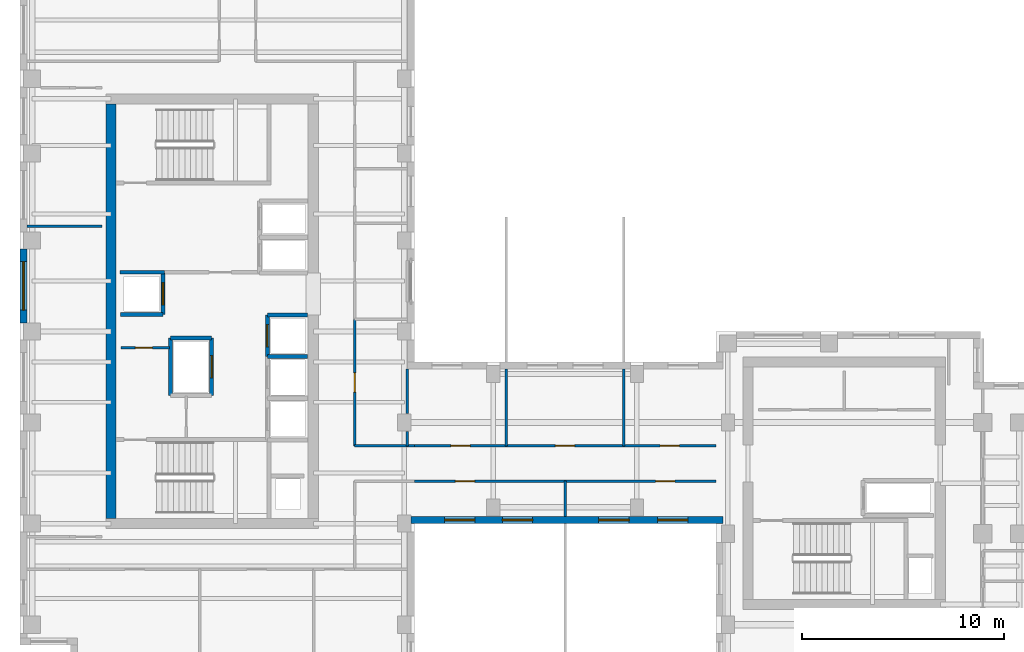
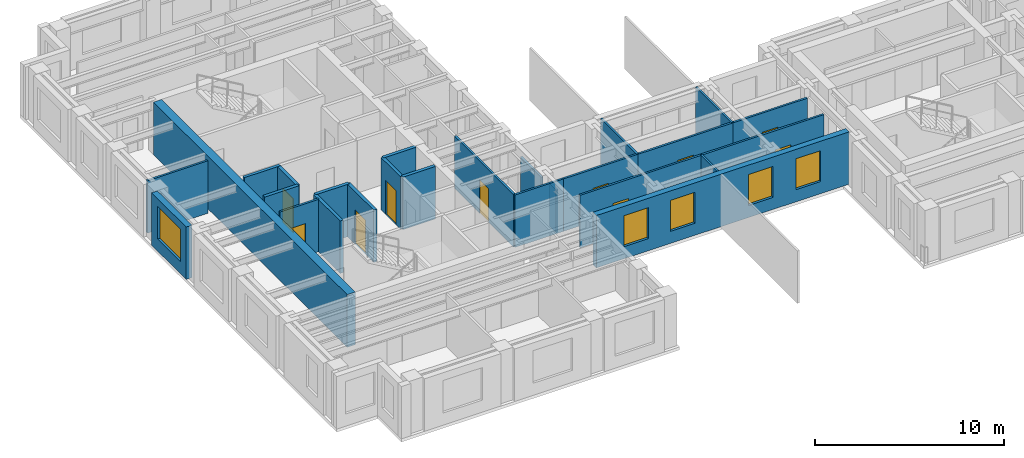
# One storey, part 5 of 11: 26 walls, 10 doors, 5 windows, 15 openings.
"""IFC4 building model written with IfcOpenShell, lengths in metres."""

import ifcopenshell
import ifcopenshell.guid

model = None  # the IFC model being written
_history = None  # IfcOwnerHistory: only IFC2X3 demands one
_inside = {}  # id of a spatial element -> (the spatial element, [elements in it])
_under = {}  # id of a project, library or spatial element -> (it, [spatial elements below it])
_declared = {}  # id of a project -> (the project, [libraries it declares])
_typed = {}  # id of a type object -> (the type object, [elements of that type])
_made_of = {}  # id of a material, layer set ... -> (it, [elements and type objects made of it])


def new_model(schema):
    """Start an empty IFC model of exactly this schema.

    Asked for "IFC4X3", IfcOpenShell would pick the latest addendum, in which some entities
    have other attributes; the version numbers below select the first issue.
    IFC2X3 requires an IfcOwnerHistory on every rooted entity: one is made here for all.
    """
    global model, _history
    if schema == "IFC4X3":
        model = ifcopenshell.file(schema_version=(4, 3, 0, 0))
    else:
        model = ifcopenshell.file(schema=schema)
    _inside.clear()
    _under.clear()
    _declared.clear()
    _typed.clear()
    _made_of.clear()
    _history = None
    if model.schema == "IFC2X3":
        org = make("IfcOrganization", Name="unknown")
        user = make(
            "IfcPersonAndOrganization",
            ThePerson=make("IfcPerson", FamilyName="unknown"),
            TheOrganization=org,
        )
        app = make(
            "IfcApplication",
            ApplicationDeveloper=org,
            Version="unknown",
            ApplicationFullName="unknown",
            ApplicationIdentifier="unknown",
        )
        _history = make(
            "IfcOwnerHistory",
            OwningUser=user,
            OwningApplication=app,
            ChangeAction="ADDED",
            CreationDate=0,
        )
    return model


def make(cls, **values):
    """One entity of the class cls with the attributes given. An attribute that is None is left unset."""
    return model.create_entity(
        cls, **{name: value for name, value in values.items() if value is not None}
    )


def rooted(cls, **values):
    """An entity with a GlobalId (a new one), such as an element, a storey or a relation."""
    return make(cls, GlobalId=ifcopenshell.guid.new(), OwnerHistory=_history, **values)


def si_unit(unit_type, name, prefix=None):
    """IfcSIUnit, for example si_unit("LENGTHUNIT", "METRE", prefix="MILLI")."""
    return make("IfcSIUnit", UnitType=unit_type, Prefix=prefix, Name=name)


def assignment(units):
    """IfcUnitAssignment: the units of a project."""
    return None if units is None else make("IfcUnitAssignment", Units=units)


def point(xyz):
    """IfcCartesianPoint."""
    return None if xyz is None else make("IfcCartesianPoint", Coordinates=xyz)


def direction(xyz):
    """IfcDirection."""
    return None if xyz is None else make("IfcDirection", DirectionRatios=xyz)


def frame(location, z_axis=None, x_axis=None):
    """IfcAxis2Placement3D, a coordinate frame: its origin and axes. An axis left out is left unset."""
    return make(
        "IfcAxis2Placement3D",
        Location=point(location),
        Axis=direction(z_axis),
        RefDirection=direction(x_axis),
    )


def frame_2d(location, x_axis=None):
    """IfcAxis2Placement2D, a coordinate frame in the plane: its origin and x axis."""
    return make(
        "IfcAxis2Placement2D", Location=point(location), RefDirection=direction(x_axis)
    )


def origin():
    """The frame at (0, 0, 0) with its axes left unset."""
    return frame((0.0, 0.0, 0.0))


def place(relative_to, where):
    """IfcLocalPlacement: puts the frame where relative to a parent placement (None: the world)."""
    return make(
        "IfcLocalPlacement", PlacementRelTo=relative_to, RelativePlacement=where
    )


def context(
    kind, dimensions, precision=None, world=None, true_north=None, identifier=None
):
    """IfcGeometricRepresentationContext, for example the 3D "Model" context."""
    return make(
        "IfcGeometricRepresentationContext",
        ContextIdentifier=identifier,
        ContextType=kind,
        CoordinateSpaceDimension=dimensions,
        Precision=precision,
        WorldCoordinateSystem=world,
        TrueNorth=true_north,
    )


def subcontext(parent, identifier, kind, view, scale=None):
    """IfcGeometricRepresentationSubContext, for example "Body" below "Model"."""
    return make(
        "IfcGeometricRepresentationSubContext",
        ContextIdentifier=identifier,
        ContextType=kind,
        ParentContext=parent,
        TargetScale=scale,
        TargetView=view,
    )


def project(units=None, contexts=None):
    """IfcProject with its units and contexts."""
    return rooted(
        "IfcProject",
        Name="project",
        RepresentationContexts=contexts,
        UnitsInContext=assignment(units),
    )


def spatial(cls, under=None, at=None, **own):
    """A site, building, storey or space (cls), placed at a placement, below another one or the project."""
    s = rooted(cls, ObjectPlacement=at, **own)
    if under is not None:
        _under.setdefault(under.id(), (under, []))[1].append(s)
    return s


def profile(cls, at=None, kind="AREA", **sizes):
    """A parametric profile (cls). Its sizes go by their IFC names, for example OverallWidth=200.0."""
    return make(cls, ProfileType=kind, Position=at, **sizes)


def rectangle(**sizes):
    """IfcRectangleProfileDef."""
    return profile("IfcRectangleProfileDef", **sizes)


def extrude(swept, where, along, depth):
    """IfcExtrudedAreaSolid: the profile swept, set in the frame where, extruded along a direction by depth."""
    return make(
        "IfcExtrudedAreaSolid",
        SweptArea=swept,
        Position=where,
        ExtrudedDirection=direction(along),
        Depth=depth,
    )


def shape(context_of_items, identifier, shape_type, items):
    """IfcShapeRepresentation: the items that make up one representation, for example the "Body"."""
    return make(
        "IfcShapeRepresentation",
        ContextOfItems=context_of_items,
        RepresentationIdentifier=identifier,
        RepresentationType=shape_type,
        Items=items,
    )


def source(mapping_origin, context_of_items, identifier, shape_type, items):
    """IfcRepresentationMap: a shape defined once, which mapped items show again and again."""
    return make(
        "IfcRepresentationMap",
        MappingOrigin=mapping_origin,
        MappedRepresentation=shape(context_of_items, identifier, shape_type, items),
    )


def transform(
    local_origin,
    x_axis=None,
    y_axis=None,
    z_axis=None,
    scale=None,
    scale2=None,
    scale3=None,
    uniform=True,
):
    """IfcCartesianTransformationOperator3D, or its non-uniform kind. x_axis, y_axis, z_axis: its Axis1, 2, 3."""
    if uniform:
        return make(
            "IfcCartesianTransformationOperator3D",
            Axis1=direction(x_axis),
            Axis2=direction(y_axis),
            LocalOrigin=point(local_origin),
            Scale=scale,
            Axis3=direction(z_axis),
        )
    return make(
        "IfcCartesianTransformationOperator3DnonUniform",
        Axis1=direction(x_axis),
        Axis2=direction(y_axis),
        LocalOrigin=point(local_origin),
        Scale=scale,
        Axis3=direction(z_axis),
        Scale2=scale2,
        Scale3=scale3,
    )


def mapped(mapping_source, mapping_target):
    """IfcMappedItem: shows the shape of a source again, moved by a transform."""
    return make(
        "IfcMappedItem", MappingSource=mapping_source, MappingTarget=mapping_target
    )


def material(Name=None, Category=None):
    """IfcMaterial."""
    return make("IfcMaterial", Name=Name, Category=Category)


def layer(
    of_material, thickness, ventilated=None, Name=None, Category=None, Priority=None
):
    """IfcMaterialLayer: one layer of a wall or slab, of a material (None: an air gap)."""
    return make(
        "IfcMaterialLayer",
        Material=of_material,
        LayerThickness=thickness,
        IsVentilated=ventilated,
        Name=Name,
        Category=Category,
        Priority=Priority,
    )


def layer_set(layers, Name=None):
    """IfcMaterialLayerSet."""
    return make("IfcMaterialLayerSet", MaterialLayers=layers, LayerSetName=Name)


def made_of(thing, what):
    """Note that an element or type object is made of a material, layer set ...; save() writes the relation."""
    if what is not None:
        _made_of.setdefault(what.id(), (what, []))[1].append(thing)
    return thing


def type_object(cls, material=None, **own):
    """A type object (cls), such as IfcWallType, which elements share."""
    return made_of(rooted(cls, **own), material)


def element(
    cls,
    number,
    at=None,
    inside=None,
    cuts=None,
    type_object=None,
    material=None,
    context=None,
    identifier="Body",
    shape_type=None,
    held_by="IfcProductDefinitionShape",
    body=None,
    shapes=None,
    **own,
):
    """One element of the class cls, such as IfcWall. Its Tag is "e" and its number.

    at: its placement. inside: the storey or other place that contains it. cuts: it is an
    opening in that element (IfcRelVoidsElement). A single representation is given by context,
    identifier, shape_type and body (its items); several are given by shapes. held_by: the class
    of the entity that holds the representations. save() writes the other relations.
    """
    e = rooted(cls, Tag="e%d" % number, ObjectPlacement=at, **own)
    if body is not None:
        shapes = [shape(context, identifier, shape_type, body)]
    if shapes is not None:
        e.Representation = make(held_by, Representations=shapes)
    if inside is not None:
        _inside.setdefault(inside.id(), (inside, []))[1].append(e)
    if cuts is not None:
        rooted(
            "IfcRelVoidsElement", RelatingBuildingElement=cuts, RelatedOpeningElement=e
        )
    if type_object is not None:
        _typed.setdefault(type_object.id(), (type_object, []))[1].append(e)
    return made_of(e, material)


def fill(opening, filler):
    """IfcRelFillsElement: the door or window that sits in an opening."""
    return rooted(
        "IfcRelFillsElement",
        RelatingOpeningElement=opening,
        RelatedBuildingElement=filler,
    )


def aggregate(whole, parts):
    """IfcRelAggregates: a whole, such as a stair, and the parts it consists of."""
    return rooted("IfcRelAggregates", RelatingObject=whole, RelatedObjects=parts)


def save(model, path):
    """Write the relations noted so far, then the file.

    IfcRelAggregates (storeys below a building ...), IfcRelContainedInSpatialStructure (elements
    in a storey), IfcRelDefinesByType, IfcRelAssociatesMaterial and IfcRelDeclares: one each for
    every whole, place, type object, material and project.
    """
    for whole, parts in _under.values():
        aggregate(whole, parts)
    for where, things in _inside.values():
        rooted(
            "IfcRelContainedInSpatialStructure",
            RelatedElements=things,
            RelatingStructure=where,
        )
    for kind, things in _typed.values():
        rooted("IfcRelDefinesByType", RelatedObjects=things, RelatingType=kind)
    for what, things in _made_of.values():
        rooted("IfcRelAssociatesMaterial", RelatedObjects=things, RelatingMaterial=what)
    for by, libraries in _declared.values():
        rooted("IfcRelDeclares", RelatingContext=by, RelatedDefinitions=libraries)
    model.write(path)


model = new_model("IFC4")

# Units and contexts
model_context = context("Model", 3, precision=1e-05, world=origin(), true_north=direction((0.0, 1.0)))
body_context = subcontext(model_context, "Body", "Model", "MODEL_VIEW")
ifc_project = project(units=[si_unit("LENGTHUNIT", "METRE"), si_unit("AREAUNIT", "SQUARE_METRE"), si_unit("VOLUMEUNIT", "CUBIC_METRE"), si_unit("PLANEANGLEUNIT", "RADIAN"), si_unit("MASSUNIT", "GRAM", prefix="KILO")], contexts=[model_context])

# Site, building, storey
site_placement = place(None, origin())
site = spatial("IfcSite", under=ifc_project, at=site_placement, CompositionType="ELEMENT")
building_placement = place(site_placement, origin())
building = spatial("IfcBuilding", under=site, at=building_placement, Name="Kharzan Plaza Tower", CompositionType="ELEMENT")
storey_placement = place(building_placement, frame((0.0, 0.0, 226.800048828125)))
storey = spatial("IfcBuildingStorey", under=building, at=storey_placement, Name="L61", CompositionType="ELEMENT", Elevation=226.800048828125)

# Wall, opening, window
ifc_material_1 = material(Name="Concrete C40/50", Category="concrete")
ifc_layer_1 = layer(ifc_material_1, 0.35009765625)
ifc_layer_set_1 = layer_set([ifc_layer_1], Name="Concrete C40/50")
wall_type_1 = type_object("IfcWallType", Name="WL-EXT-MAS-Z4", PredefinedType="SOLIDWALL", material=ifc_layer_set_1)
wall_1_placement = place(storey_placement, frame((0.175048828125, 22.076904296875, 0.0), z_axis=(0.0, 0.0, 1.0), x_axis=(0.0, -1.0, 0.0)))
wall_1 = element("IfcWall", 1, at=wall_1_placement, inside=storey, type_object=wall_type_1, Name="L61 Masonry-Frame Exterior Wall 20", PredefinedType="SOLIDWALL", context=body_context, shape_type="SweptSolid", body=[
    extrude(rectangle(XDim=3.65380859375, YDim=0.35009765625, at=frame_2d((1.826904296875, 0.0))), origin(), (0.0, 0.0, 1.0), 3.385009765625),
])
opening_1_placement = place(wall_1_placement, frame((0.626953125, 0.0, 0.780029296875)))
opening_1 = element("IfcOpeningElement", 2, at=opening_1_placement, cuts=wall_1, Name="Opening W2", PredefinedType="OPENING", context=body_context, shape_type="SweptSolid", body=[
    extrude(rectangle(XDim=2.39990234375, YDim=2.10009765625, at=frame_2d((1.199951171875, 1.050048828125))), frame((0.0, 0.18505859375, 0.0), z_axis=(0.0, -1.0, 0.0), x_axis=(1.0, 0.0, 0.0)), (0.0, 0.0, 1.0), 0.3701171875),
])
ifc_material_2 = material(Name="Low-E Double Glazing", Category="glass")
window_type_1 = type_object("IfcWindowType", Name="WN-REC-2400x2100", PartitioningType="SINGLE_PANEL", PredefinedType="WINDOW", material=ifc_material_2)
shared_shape_1 = source(origin(), body_context, "Body", "SweptSolid", [
    extrude(rectangle(XDim=2.39990234375, YDim=2.10009765625, at=frame_2d((1.199951171875, 1.050048828125))), frame((0.0, 0.030029296875, 0.0), z_axis=(0.0, -1.0, 0.0), x_axis=(1.0, 0.0, 0.0)), (0.0, 0.0, 1.0), 0.06005859375),
])
window_1_placement = place(opening_1_placement, origin())
window_1 = element("IfcWindow", 3, at=window_1_placement, inside=storey, type_object=window_type_1, Name="L61 Wide Recessed Solar-Control Window 20-1", OverallHeight=2.10009765625, OverallWidth=2.39990234375, PartitioningType="SINGLE_PANEL", PredefinedType="WINDOW", context=body_context, shape_type="MappedRepresentation", body=[
    mapped(shared_shape_1, transform((0.0, 0.0, 0.0), x_axis=(1.0, 0.0, 0.0), y_axis=(0.0, 1.0, 0.0), z_axis=(0.0, 0.0, 1.0))),
])
fill(opening_1, window_1)

# Wall, openings, windows
wall_2_placement = place(storey_placement, frame((19.322998046875, 8.675048828125, 0.0), z_axis=(0.0, 0.0, 1.0), x_axis=(1.0, 0.0, 0.0)))
wall_2 = element("IfcWall", 4, at=wall_2_placement, inside=storey, type_object=wall_type_1, Name="L61 Masonry-Frame Exterior Wall 33", PredefinedType="SOLIDWALL", context=body_context, shape_type="SweptSolid", body=[
    extrude(rectangle(XDim=15.427001953125, YDim=0.35009765625, at=frame_2d((7.71337890625, 0.0))), origin(), (0.0, 0.0, 1.0), 3.385009765625),
])
opening_2_placement = place(wall_2_placement, frame((1.67236328125, 0.0, 0.780029296875)))
opening_2 = element("IfcOpeningElement", 5, at=opening_2_placement, cuts=wall_2, Name="Opening W5", PredefinedType="OPENING", context=body_context, shape_type="SweptSolid", body=[
    extrude(rectangle(XDim=1.5, YDim=2.0, at=frame_2d((0.75, 1.0))), frame((0.0, 0.18505859375, 0.0), z_axis=(0.0, -1.0, 0.0), x_axis=(1.0, 0.0, 0.0)), (0.0, 0.0, 1.0), 0.3701171875),
])
opening_3_placement = place(wall_2_placement, frame((4.524658203125, 0.0, 0.780029296875)))
opening_3 = element("IfcOpeningElement", 6, at=opening_3_placement, cuts=wall_2, Name="Opening W5", PredefinedType="OPENING", context=body_context, shape_type="SweptSolid", body=[
    extrude(rectangle(XDim=1.5, YDim=2.0, at=frame_2d((0.75, 1.0))), frame((0.0, 0.18505859375, 0.0), z_axis=(0.0, -1.0, 0.0), x_axis=(1.0, 0.0, 0.0)), (0.0, 0.0, 1.0), 0.3701171875),
])
opening_4_placement = place(wall_2_placement, frame((9.287109375, 0.0, 0.780029296875)))
opening_4 = element("IfcOpeningElement", 7, at=opening_4_placement, cuts=wall_2, Name="Opening W5", PredefinedType="OPENING", context=body_context, shape_type="SweptSolid", body=[
    extrude(rectangle(XDim=1.5, YDim=2.0, at=frame_2d((0.75, 1.0))), frame((0.0, 0.18505859375, 0.0), z_axis=(0.0, -1.0, 0.0), x_axis=(1.0, 0.0, 0.0)), (0.0, 0.0, 1.0), 0.3701171875),
])
opening_5_placement = place(wall_2_placement, frame((12.197021484375, 0.0, 0.780029296875)))
opening_5 = element("IfcOpeningElement", 8, at=opening_5_placement, cuts=wall_2, Name="Opening W5", PredefinedType="OPENING", context=body_context, shape_type="SweptSolid", body=[
    extrude(rectangle(XDim=1.5, YDim=2.0, at=frame_2d((0.75, 1.0))), frame((0.0, 0.18505859375, 0.0), z_axis=(0.0, -1.0, 0.0), x_axis=(1.0, 0.0, 0.0)), (0.0, 0.0, 1.0), 0.3701171875),
])
window_type_2 = type_object("IfcWindowType", Name="WN-SLT-1500x2000", PartitioningType="SINGLE_PANEL", PredefinedType="WINDOW", material=ifc_material_2)
shared_shape_2 = source(origin(), body_context, "Body", "SweptSolid", [
    extrude(rectangle(XDim=1.5, YDim=2.0, at=frame_2d((0.75, 1.0))), frame((0.0, 0.030029296875, 0.0), z_axis=(0.0, -1.0, 0.0), x_axis=(1.0, 0.0, 0.0)), (0.0, 0.0, 1.0), 0.06005859375),
])
window_2_placement = place(opening_2_placement, origin())
window_2 = element("IfcWindow", 9, at=window_2_placement, inside=storey, type_object=window_type_2, Name="L61 Recessed Solar-Control Window 33-1", OverallHeight=2.0, OverallWidth=1.5, PartitioningType="SINGLE_PANEL", PredefinedType="WINDOW", context=body_context, shape_type="MappedRepresentation", body=[
    mapped(shared_shape_2, transform((0.0, 0.0, 0.0), x_axis=(1.0, 0.0, 0.0), y_axis=(0.0, 1.0, 0.0), z_axis=(0.0, 0.0, 1.0))),
])
fill(opening_2, window_2)
window_3_placement = place(opening_3_placement, origin())
window_3 = element("IfcWindow", 10, at=window_3_placement, inside=storey, type_object=window_type_2, Name="L61 Recessed Solar-Control Window 33-2", OverallHeight=2.0, OverallWidth=1.5, PartitioningType="SINGLE_PANEL", PredefinedType="WINDOW", context=body_context, shape_type="MappedRepresentation", body=[
    mapped(shared_shape_2, transform((0.0, 0.0, 0.0), x_axis=(1.0, 0.0, 0.0), y_axis=(0.0, 1.0, 0.0), z_axis=(0.0, 0.0, 1.0))),
])
fill(opening_3, window_3)
window_4_placement = place(opening_4_placement, origin())
window_4 = element("IfcWindow", 11, at=window_4_placement, inside=storey, type_object=window_type_2, Name="L61 Recessed Solar-Control Window 33-3", OverallHeight=2.0, OverallWidth=1.5, PartitioningType="SINGLE_PANEL", PredefinedType="WINDOW", context=body_context, shape_type="MappedRepresentation", body=[
    mapped(shared_shape_2, transform((0.0, 0.0, 0.0), x_axis=(1.0, 0.0, 0.0), y_axis=(0.0, 1.0, 0.0), z_axis=(0.0, 0.0, 1.0))),
])
fill(opening_4, window_4)
window_5_placement = place(opening_5_placement, origin())
window_5 = element("IfcWindow", 12, at=window_5_placement, inside=storey, type_object=window_type_2, Name="L61 Recessed Solar-Control Window 33-4", OverallHeight=2.0, OverallWidth=1.5, PartitioningType="SINGLE_PANEL", PredefinedType="WINDOW", context=body_context, shape_type="MappedRepresentation", body=[
    mapped(shared_shape_2, transform((0.0, 0.0, 0.0), x_axis=(1.0, 0.0, 0.0), y_axis=(0.0, 1.0, 0.0), z_axis=(0.0, 0.0, 1.0))),
])
fill(opening_5, window_5)

# Wall, opening, door
ifc_material_3 = material(Name="Fire-Rated Gypsum Board Partition", Category="gypsum")
ifc_layer_2 = layer(ifc_material_3, 0.125)
ifc_layer_set_2 = layer_set([ifc_layer_2], Name="Fire-Rated Gypsum Board Partition")
wall_type_2 = type_object("IfcWallType", Name="WL-INT-PART-125", PredefinedType="PARTITIONING", material=ifc_layer_set_2)
wall_3_placement = place(storey_placement, frame((5.0, 17.199951171875, 0.0), z_axis=(0.0, 0.0, 1.0), x_axis=(1.0, 0.0, 0.0)))
wall_3 = element("IfcWall", 13, at=wall_3_placement, inside=storey, type_object=wall_type_2, Name="L61 Interior Partition CA-K1N2", PredefinedType="PARTITIONING", context=body_context, shape_type="SweptSolid", body=[
    extrude(rectangle(XDim=2.39990234375, YDim=0.125, at=frame_2d((1.199951171875, 0.0))), origin(), (0.0, 0.0, 1.0), 3.385009765625),
])
opening_6_placement = place(wall_3_placement, frame((0.699951171875, 0.0, 0.0)))
opening_6 = element("IfcOpeningElement", 14, at=opening_6_placement, cuts=wall_3, Name="Opening RD1", PredefinedType="OPENING", context=body_context, shape_type="SweptSolid", body=[
    extrude(rectangle(XDim=0.85009765625, YDim=2.10009765625, at=frame_2d((0.425048828125, 1.050048828125))), frame((0.0, 0.072509765625, 0.0), z_axis=(0.0, -1.0, 0.0), x_axis=(1.0, 0.0, 0.0)), (0.0, 0.0, 1.0), 0.14501953125),
])
ifc_material_4 = material(Name="Powder-Coated Fire-Rated Steel", Category="steel")
door_type_1 = type_object("IfcDoorType", Name="DR-RISER-900", OperationType="NOTDEFINED", PredefinedType="DOOR", material=ifc_material_4)
shared_shape_3 = source(origin(), body_context, "Body", "SweptSolid", [
    extrude(rectangle(XDim=0.85009765625, YDim=2.10009765625, at=frame_2d((0.425048828125, 1.050048828125))), frame((0.0, 0.02490234375, 0.0), z_axis=(0.0, -1.0, 0.0), x_axis=(1.0, 0.0, 0.0)), (0.0, 0.0, 1.0), 0.050048828125),
])
door_1_placement = place(opening_6_placement, origin())
door_1 = element("IfcDoor", 15, at=door_1_placement, inside=storey, type_object=door_type_1, Name="L61 Core Storage Room Door", OperationType="SINGLE_SWING_LEFT", OverallHeight=2.10009765625, OverallWidth=0.85009765625, PredefinedType="DOOR", context=body_context, shape_type="MappedRepresentation", body=[
    mapped(shared_shape_3, transform((0.0, 0.0, 0.0), x_axis=(1.0, 0.0, 0.0), y_axis=(0.0, 1.0, 0.0), z_axis=(0.0, 0.0, 1.0))),
])
fill(opening_6, door_1)

wall_4_placement = place(storey_placement, frame((16.550048828125, 12.35009765625, 0.0), z_axis=(0.0, 0.0, 1.0), x_axis=(0.0, 1.0, 0.0)))
wall_4 = element("IfcWall", 16, at=wall_4_placement, inside=storey, type_object=wall_type_2, Name="L61 Interior Partition SH-AEWN1", PredefinedType="PARTITIONING", context=body_context, shape_type="SweptSolid", body=[
    extrude(rectangle(XDim=6.25, YDim=0.125, at=frame_2d((3.125, 0.0))), origin(), (0.0, 0.0, 1.0), 3.385009765625),
])
opening_7_placement = place(wall_4_placement, frame((2.64990234375, 0.0, 0.0)))
opening_7 = element("IfcOpeningElement", 17, at=opening_7_placement, cuts=wall_4, Name="Opening OD1", PredefinedType="OPENING", context=body_context, shape_type="SweptSolid", body=[
    extrude(rectangle(XDim=0.949951171875, YDim=2.14990234375, at=frame_2d((0.47509765625, 1.074951171875))), frame((0.0, 0.072509765625, 0.0), z_axis=(0.0, -1.0, 0.0), x_axis=(1.0, 0.0, 0.0)), (0.0, 0.0, 1.0), 0.14501953125),
])
ifc_material_5 = material(Name="Acoustic Solid-Core Stained Oak", Category="timber")
door_type_2 = type_object("IfcDoorType", Name="DR-OFF-SINGLE", OperationType="NOTDEFINED", PredefinedType="DOOR", material=ifc_material_5)
shared_shape_4 = source(origin(), body_context, "Body", "SweptSolid", [
    extrude(rectangle(XDim=0.949951171875, YDim=2.14990234375, at=frame_2d((0.47509765625, 1.074951171875))), frame((0.0, 0.02490234375, 0.0), z_axis=(0.0, -1.0, 0.0), x_axis=(1.0, 0.0, 0.0)), (0.0, 0.0, 1.0), 0.050048828125),
])
door_2_placement = place(opening_7_placement, origin())
door_2 = element("IfcDoor", 18, at=door_2_placement, inside=storey, type_object=door_type_2, Name="L61 Slot Collaboration Door", OperationType="SINGLE_SWING_LEFT", OverallHeight=2.14990234375, OverallWidth=0.949951171875, PredefinedType="DOOR", context=body_context, shape_type="MappedRepresentation", body=[
    mapped(shared_shape_4, transform((0.0, 0.0, 0.0), x_axis=(1.0, 0.0, 0.0), y_axis=(0.0, 1.0, 0.0), z_axis=(0.0, 0.0, 1.0))),
])
fill(opening_7, door_2)

wall_5_placement = place(storey_placement, frame((29.85009765625, 12.35009765625, 0.0), z_axis=(0.0, 0.0, 1.0), x_axis=(1.0, 0.0, 0.0)))
wall_5 = element("IfcWall", 19, at=wall_5_placement, inside=storey, type_object=wall_type_2, Name="L61 Interior Partition SH-SPNE1", PredefinedType="PARTITIONING", context=body_context, shape_type="SweptSolid", body=[
    extrude(rectangle(XDim=4.5498046875, YDim=0.125, at=frame_2d((2.27490234375, 0.0))), origin(), (0.0, 0.0, 1.0), 3.385009765625),
])
opening_8_placement = place(wall_5_placement, frame((1.800048828125, 0.0, 0.0)))
opening_8 = element("IfcOpeningElement", 20, at=opening_8_placement, cuts=wall_5, Name="Opening OD1", PredefinedType="OPENING", context=body_context, shape_type="SweptSolid", body=[
    extrude(rectangle(XDim=0.949951171875, YDim=2.14990234375, at=frame_2d((0.47509765625, 1.074951171875))), frame((0.0, 0.072509765625, 0.0), z_axis=(0.0, -1.0, 0.0), x_axis=(1.0, 0.0, 0.0)), (0.0, 0.0, 1.0), 0.14501953125),
])
door_3_placement = place(opening_8_placement, origin())
door_3 = element("IfcDoor", 21, at=door_3_placement, inside=storey, type_object=door_type_2, Name="L61 North-East Spine Door", OperationType="SINGLE_SWING_RIGHT", OverallHeight=2.14990234375, OverallWidth=0.949951171875, PredefinedType="DOOR", context=body_context, shape_type="MappedRepresentation", body=[
    mapped(shared_shape_4, transform((0.0, 0.0, 0.0), x_axis=(1.0, 0.0, 0.0), y_axis=(0.0, 1.0, 0.0), z_axis=(0.0, 0.0, 1.0))),
])
fill(opening_8, door_3)

wall_6_placement = place(storey_placement, frame((24.050048828125, 12.35009765625, 0.0), z_axis=(0.0, 0.0, 1.0), x_axis=(1.0, 0.0, 0.0)))
wall_6 = element("IfcWall", 22, at=wall_6_placement, inside=storey, type_object=wall_type_2, Name="L61 Interior Partition SH-SPNM", PredefinedType="PARTITIONING", context=body_context, shape_type="SweptSolid", body=[
    extrude(rectangle(XDim=5.800048828125, YDim=0.125, at=frame_2d((2.89990234375, 0.0))), origin(), (0.0, 0.0, 1.0), 3.385009765625),
])
opening_9_placement = place(wall_6_placement, frame((2.425048828125, 0.0, 0.0)))
opening_9 = element("IfcOpeningElement", 23, at=opening_9_placement, cuts=wall_6, Name="Opening OD1", PredefinedType="OPENING", context=body_context, shape_type="SweptSolid", body=[
    extrude(rectangle(XDim=0.949951171875, YDim=2.14990234375, at=frame_2d((0.47509765625, 1.074951171875))), frame((0.0, 0.072509765625, 0.0), z_axis=(0.0, -1.0, 0.0), x_axis=(1.0, 0.0, 0.0)), (0.0, 0.0, 1.0), 0.14501953125),
])
door_4_placement = place(opening_9_placement, origin())
door_4 = element("IfcDoor", 24, at=door_4_placement, inside=storey, type_object=door_type_2, Name="L61 Reclaimed Spine Door", OperationType="SINGLE_SWING_LEFT", OverallHeight=2.14990234375, OverallWidth=0.949951171875, PredefinedType="DOOR", context=body_context, shape_type="MappedRepresentation", body=[
    mapped(shared_shape_4, transform((0.0, 0.0, 0.0), x_axis=(1.0, 0.0, 0.0), y_axis=(0.0, 1.0, 0.0), z_axis=(0.0, 0.0, 1.0))),
])
fill(opening_9, door_4)

wall_7_placement = place(storey_placement, frame((19.5, 12.35009765625, 0.0), z_axis=(0.0, 0.0, 1.0), x_axis=(1.0, 0.0, 0.0)))
wall_7 = element("IfcWall", 25, at=wall_7_placement, inside=storey, type_object=wall_type_2, Name="L61 Interior Partition SH-SPNW1", PredefinedType="PARTITIONING", context=body_context, shape_type="SweptSolid", body=[
    extrude(rectangle(XDim=4.550048828125, YDim=0.125, at=frame_2d((2.27490234375, 0.0))), origin(), (0.0, 0.0, 1.0), 3.385009765625),
])
opening_10_placement = place(wall_7_placement, frame((1.800048828125, 0.0, 0.0)))
opening_10 = element("IfcOpeningElement", 26, at=opening_10_placement, cuts=wall_7, Name="Opening OD1", PredefinedType="OPENING", context=body_context, shape_type="SweptSolid", body=[
    extrude(rectangle(XDim=0.949951171875, YDim=2.14990234375, at=frame_2d((0.47509765625, 1.074951171875))), frame((0.0, 0.072509765625, 0.0), z_axis=(0.0, -1.0, 0.0), x_axis=(1.0, 0.0, 0.0)), (0.0, 0.0, 1.0), 0.14501953125),
])
door_5_placement = place(opening_10_placement, origin())
door_5 = element("IfcDoor", 27, at=door_5_placement, inside=storey, type_object=door_type_2, Name="L61 North-West Spine Door", OperationType="SINGLE_SWING_LEFT", OverallHeight=2.14990234375, OverallWidth=0.949951171875, PredefinedType="DOOR", context=body_context, shape_type="MappedRepresentation", body=[
    mapped(shared_shape_4, transform((0.0, 0.0, 0.0), x_axis=(1.0, 0.0, 0.0), y_axis=(0.0, 1.0, 0.0), z_axis=(0.0, 0.0, 1.0))),
])
fill(opening_10, door_5)

wall_8_placement = place(storey_placement, frame((19.5, 10.60009765625, 0.0), z_axis=(0.0, 0.0, 1.0), x_axis=(1.0, 0.0, 0.0)))
wall_8 = element("IfcWall", 28, at=wall_8_placement, inside=storey, type_object=wall_type_2, Name="L61 Interior Partition SH-SPS1", PredefinedType="PARTITIONING", context=body_context, shape_type="SweptSolid", body=[
    extrude(rectangle(XDim=7.449951171875, YDim=0.125, at=frame_2d((3.72509765625, 0.0))), origin(), (0.0, 0.0, 1.0), 3.385009765625),
])
opening_11_placement = place(wall_8_placement, frame((2.02197265625, 0.0, 0.0)))
opening_11 = element("IfcOpeningElement", 29, at=opening_11_placement, cuts=wall_8, Name="Opening OD1", PredefinedType="OPENING", context=body_context, shape_type="SweptSolid", body=[
    extrude(rectangle(XDim=0.949951171875, YDim=2.14990234375, at=frame_2d((0.47509765625, 1.074951171875))), frame((0.0, 0.072509765625, 0.0), z_axis=(0.0, -1.0, 0.0), x_axis=(1.0, 0.0, 0.0)), (0.0, 0.0, 1.0), 0.14501953125),
])
door_6_placement = place(opening_11_placement, origin())
door_6 = element("IfcDoor", 30, at=door_6_placement, inside=storey, type_object=door_type_2, Name="L61 South Spine West Door", OperationType="SINGLE_SWING_LEFT", OverallHeight=2.14990234375, OverallWidth=0.949951171875, PredefinedType="DOOR", context=body_context, shape_type="MappedRepresentation", body=[
    mapped(shared_shape_4, transform((0.0, 0.0, 0.0), x_axis=(1.0, 0.0, 0.0), y_axis=(0.0, 1.0, 0.0), z_axis=(0.0, 0.0, 1.0))),
])
fill(opening_11, door_6)

wall_9_placement = place(storey_placement, frame((26.949951171875, 10.60009765625, 0.0), z_axis=(0.0, 0.0, 1.0), x_axis=(1.0, 0.0, 0.0)))
wall_9 = element("IfcWall", 31, at=wall_9_placement, inside=storey, type_object=wall_type_2, Name="L61 Interior Partition SH-SPS2", PredefinedType="PARTITIONING", context=body_context, shape_type="SweptSolid", body=[
    extrude(rectangle(XDim=7.449951171875, YDim=0.125, at=frame_2d((3.72509765625, 0.0))), origin(), (0.0, 0.0, 1.0), 3.385009765625),
])
opening_12_placement = place(wall_9_placement, frame((4.47802734375, 0.0, 0.0)))
opening_12 = element("IfcOpeningElement", 32, at=opening_12_placement, cuts=wall_9, Name="Opening OD1", PredefinedType="OPENING", context=body_context, shape_type="SweptSolid", body=[
    extrude(rectangle(XDim=0.949951171875, YDim=2.14990234375, at=frame_2d((0.47509765625, 1.074951171875))), frame((0.0, 0.072509765625, 0.0), z_axis=(0.0, -1.0, 0.0), x_axis=(1.0, 0.0, 0.0)), (0.0, 0.0, 1.0), 0.14501953125),
])
door_7_placement = place(opening_12_placement, origin())
door_7 = element("IfcDoor", 33, at=door_7_placement, inside=storey, type_object=door_type_2, Name="L61 South Spine East Door", OperationType="SINGLE_SWING_RIGHT", OverallHeight=2.14990234375, OverallWidth=0.949951171875, PredefinedType="DOOR", context=body_context, shape_type="MappedRepresentation", body=[
    mapped(shared_shape_4, transform((0.0, 0.0, 0.0), x_axis=(1.0, 0.0, 0.0), y_axis=(0.0, 1.0, 0.0), z_axis=(0.0, 0.0, 1.0))),
])
fill(opening_12, door_7)

ifc_layer_3 = layer(ifc_material_1, 0.199951171875)
ifc_layer_set_3 = layer_set([ifc_layer_3], Name="Concrete C40/50")
wall_type_3 = type_object("IfcWallType", Name="WL-INT-SHAFT-200", PredefinedType="PARTITIONING", material=ifc_layer_set_3)
wall_10_placement = place(storey_placement, frame((12.22998046875, 16.77001953125, 0.0), z_axis=(0.0, 0.0, 1.0), x_axis=(0.0, 1.0, 0.0)))
wall_10 = element("IfcWall", 34, at=wall_10_placement, inside=storey, type_object=wall_type_3, Name="L61 Interior Partition SHF-PL-H3-W", PredefinedType="PARTITIONING", context=body_context, shape_type="SweptSolid", body=[
    extrude(rectangle(XDim=2.050048828125, YDim=0.199951171875, at=frame_2d((1.02490234375, 0.0))), origin(), (0.0, 0.0, 1.0), 3.385009765625),
])
opening_13_placement = place(wall_10_placement, frame((0.47509765625, 0.0, 0.0)))
opening_13 = element("IfcOpeningElement", 35, at=opening_13_placement, cuts=wall_10, Name="Opening LD", PredefinedType="OPENING", context=body_context, shape_type="SweptSolid", body=[
    extrude(rectangle(XDim=1.10009765625, YDim=2.199951171875, at=frame_2d((0.550048828125, 1.10009765625))), frame((0.0, 0.10986328125, 0.0), z_axis=(0.0, -1.0, 0.0), x_axis=(1.0, 0.0, 0.0)), (0.0, 0.0, 1.0), 0.219970703125),
])
ifc_material_6 = material(Name="Brushed Stainless Steel", Category="steel")
door_type_3 = type_object("IfcDoorType", Name="DR-LIFT-SLIDE", OperationType="SLIDING_TO_LEFT", PredefinedType="DOOR", material=ifc_material_6)
shared_shape_5 = source(origin(), body_context, "Body", "SweptSolid", [
    extrude(rectangle(XDim=1.10009765625, YDim=2.199951171875, at=frame_2d((0.550048828125, 1.10009765625))), frame((0.0, 0.02490234375, 0.0), z_axis=(0.0, -1.0, 0.0), x_axis=(1.0, 0.0, 0.0)), (0.0, 0.0, 1.0), 0.050048828125),
])
door_8_placement = place(opening_13_placement, origin())
door_8 = element("IfcDoor", 36, at=door_8_placement, inside=storey, type_object=door_type_3, Name="L61 High-Rise Passenger Lift PL-H3 Sliding Landing Door", OperationType="SLIDING_TO_LEFT", OverallHeight=2.199951171875, OverallWidth=1.10009765625, PredefinedType="DOOR", context=body_context, shape_type="MappedRepresentation", body=[
    mapped(shared_shape_5, transform((0.0, 0.0, 0.0), x_axis=(1.0, 0.0, 0.0), y_axis=(0.0, 1.0, 0.0), z_axis=(0.0, 0.0, 1.0))),
])
fill(opening_13, door_8)

wall_11_placement = place(storey_placement, frame((7.070068359375, 18.840087890625, 0.0), z_axis=(0.0, 0.0, 1.0), x_axis=(0.0, 1.0, 0.0)))
wall_11 = element("IfcWall", 37, at=wall_11_placement, inside=storey, type_object=wall_type_3, Name="L61 Interior Partition SHF-PL-H4-E", PredefinedType="PARTITIONING", context=body_context, shape_type="SweptSolid", body=[
    extrude(rectangle(XDim=2.059814453125, YDim=0.199951171875, at=frame_2d((1.02978515625, 0.0))), origin(), (0.0, 0.0, 1.0), 3.385009765625),
])
opening_14_placement = place(wall_11_placement, frame((0.47998046875, 0.0, 0.0)))
opening_14 = element("IfcOpeningElement", 38, at=opening_14_placement, cuts=wall_11, Name="Opening LD", PredefinedType="OPENING", context=body_context, shape_type="SweptSolid", body=[
    extrude(rectangle(XDim=1.10009765625, YDim=2.199951171875, at=frame_2d((0.550048828125, 1.10009765625))), frame((0.0, 0.10986328125, 0.0), z_axis=(0.0, -1.0, 0.0), x_axis=(1.0, 0.0, 0.0)), (0.0, 0.0, 1.0), 0.219970703125),
])
door_9_placement = place(opening_14_placement, origin())
door_9 = element("IfcDoor", 39, at=door_9_placement, inside=storey, type_object=door_type_3, Name="L61 High-Rise Passenger Lift PL-H4 Sliding Landing Door", OperationType="SLIDING_TO_LEFT", OverallHeight=2.199951171875, OverallWidth=1.10009765625, PredefinedType="DOOR", context=body_context, shape_type="MappedRepresentation", body=[
    mapped(shared_shape_5, transform((0.0, 0.0, 0.0), x_axis=(1.0, 0.0, 0.0), y_axis=(0.0, 1.0, 0.0), z_axis=(0.0, 0.0, 1.0))),
])
fill(opening_14, door_9)

wall_12_placement = place(storey_placement, frame((9.469970703125, 14.830078125, 0.0), z_axis=(0.0, 0.0, 1.0), x_axis=(0.0, 1.0, 0.0)))
wall_12 = element("IfcWall", 40, at=wall_12_placement, inside=storey, type_object=wall_type_3, Name="L61 Interior Partition SHF-SVL-1-E", PredefinedType="PARTITIONING", context=body_context, shape_type="SweptSolid", body=[
    extrude(rectangle(XDim=2.83984375, YDim=0.199951171875, at=frame_2d((1.419921875, 0.0))), origin(), (0.0, 0.0, 1.0), 3.385009765625),
])
opening_15_placement = place(wall_12_placement, frame((0.8701171875, 0.0, 0.0)))
opening_15 = element("IfcOpeningElement", 41, at=opening_15_placement, cuts=wall_12, Name="Opening LD", PredefinedType="OPENING", context=body_context, shape_type="SweptSolid", body=[
    extrude(rectangle(XDim=1.10009765625, YDim=2.199951171875, at=frame_2d((0.550048828125, 1.10009765625))), frame((0.0, 0.10986328125, 0.0), z_axis=(0.0, -1.0, 0.0), x_axis=(1.0, 0.0, 0.0)), (0.0, 0.0, 1.0), 0.219970703125),
])
door_10_placement = place(opening_15_placement, origin())
door_10 = element("IfcDoor", 42, at=door_10_placement, inside=storey, type_object=door_type_3, Name="L61 Service Lift SVL-1 Sliding Landing Door", OperationType="SLIDING_TO_LEFT", OverallHeight=2.199951171875, OverallWidth=1.10009765625, PredefinedType="DOOR", context=body_context, shape_type="MappedRepresentation", body=[
    mapped(shared_shape_5, transform((0.0, 0.0, 0.0), x_axis=(1.0, 0.0, 0.0), y_axis=(0.0, 1.0, 0.0), z_axis=(0.0, 0.0, 1.0))),
])
fill(opening_15, door_10)

# Walls
ifc_layer_4 = layer(ifc_material_1, 0.179931640625)
ifc_layer_set_4 = layer_set([ifc_layer_4], Name="Concrete C40/50")
wall_type_4 = type_object("IfcWallType", Name="WL-INT-FIRE-180", PredefinedType="PARTITIONING", material=ifc_layer_set_4)
shared_shape_6 = source(origin(), body_context, "Body", "SweptSolid", [
    extrude(rectangle(XDim=2.199951171875, YDim=0.179931640625, at=frame_2d((1.10009765625, 0.0))), origin(), (0.0, 0.0, 1.0), 3.385009765625),
])
wall_13_placement = place(storey_placement, frame((4.949951171875, 20.919921875, 0.0), z_axis=(0.0, 0.0, 1.0), x_axis=(1.0, 0.0, 0.0)))
element("IfcWall", 43, at=wall_13_placement, inside=storey, type_object=wall_type_4, Name="L61 Interior Partition CA-FF-SW", PredefinedType="PARTITIONING", context=body_context, shape_type="MappedRepresentation", body=[
    mapped(shared_shape_6, transform((0.0, 0.0, 0.0), x_axis=(1.0, 0.0, 0.0), y_axis=(0.0, 1.0, 0.0), z_axis=(0.0, 0.0, 1.0))),
])
shared_shape_7 = source(origin(), body_context, "Body", "SweptSolid", [
    extrude(rectangle(XDim=2.090087890625, YDim=0.199951171875, at=frame_2d((1.044921875, 0.0))), origin(), (0.0, 0.0, 1.0), 3.385009765625),
])
wall_14_placement = place(storey_placement, frame((4.97998046875, 18.840087890625, 0.0), z_axis=(0.0, 0.0, 1.0), x_axis=(1.0, 0.0, 0.0)))
element("IfcWall", 44, at=wall_14_placement, inside=storey, type_object=wall_type_3, Name="L61 Interior Partition SHF-PL-H4-S", PredefinedType="PARTITIONING", context=body_context, shape_type="MappedRepresentation", body=[
    mapped(shared_shape_7, transform((0.0, 0.0, 0.0), x_axis=(1.0, 0.0, 0.0), y_axis=(0.0, 1.0, 0.0), z_axis=(0.0, 0.0, 1.0))),
])
shared_shape_8 = source(origin(), body_context, "Body", "SweptSolid", [
    extrude(rectangle(XDim=2.0400390625, YDim=0.199951171875, at=frame_2d((1.02001953125, 0.0))), origin(), (0.0, 0.0, 1.0), 3.385009765625),
])
wall_15_placement = place(storey_placement, frame((7.429931640625, 17.669921875, 0.0), z_axis=(0.0, 0.0, 1.0), x_axis=(1.0, 0.0, 0.0)))
element("IfcWall", 45, at=wall_15_placement, inside=storey, type_object=wall_type_3, Name="L61 Interior Partition SHF-SVL-1-N", PredefinedType="PARTITIONING", context=body_context, shape_type="MappedRepresentation", body=[
    mapped(shared_shape_8, transform((0.0, 0.0, 0.0), x_axis=(1.0, 0.0, 0.0), y_axis=(0.0, 1.0, 0.0), z_axis=(0.0, 0.0, 1.0))),
])
shared_shape_9 = source(origin(), body_context, "Body", "SweptSolid", [
    extrude(rectangle(XDim=2.83984375, YDim=0.199951171875, at=frame_2d((1.419921875, 0.0))), origin(), (0.0, 0.0, 1.0), 3.385009765625),
])
wall_16_placement = place(storey_placement, frame((7.429931640625, 14.830078125, 0.0), z_axis=(0.0, 0.0, 1.0), x_axis=(0.0, 1.0, 0.0)))
element("IfcWall", 46, at=wall_16_placement, inside=storey, type_object=wall_type_3, Name="L61 Interior Partition SHF-SVL-1-W", PredefinedType="PARTITIONING", context=body_context, shape_type="MappedRepresentation", body=[
    mapped(shared_shape_9, transform((0.0, 0.0, 0.0), x_axis=(1.0, 0.0, 0.0), y_axis=(0.0, 1.0, 0.0), z_axis=(0.0, 0.0, 1.0))),
])
shared_shape_10 = source(origin(), body_context, "Body", "SweptSolid", [
    extrude(rectangle(XDim=2.949951171875, YDim=0.125, at=frame_2d((1.47509765625, 0.0))), origin(), (0.0, 0.0, 1.0), 3.385009765625),
])
wall_17_placement = place(storey_placement, frame((16.550048828125, 12.35009765625, 0.0), z_axis=(0.0, 0.0, 1.0), x_axis=(1.0, 0.0, 0.0)))
element("IfcWall", 47, at=wall_17_placement, inside=storey, type_object=wall_type_2, Name="L61 Interior Partition SH-SPNW0", PredefinedType="PARTITIONING", context=body_context, shape_type="MappedRepresentation", body=[
    mapped(shared_shape_10, transform((0.0, 0.0, 0.0), x_axis=(1.0, 0.0, 0.0), y_axis=(0.0, 1.0, 0.0), z_axis=(0.0, 0.0, 1.0))),
])
shared_shape_11 = source(origin(), body_context, "Body", "SweptSolid", [
    extrude(rectangle(XDim=3.697998046875, YDim=0.125, at=frame_2d((1.84912109375, 0.0))), origin(), (0.0, 0.0, 1.0), 3.385009765625),
])
wall_18_placement = place(storey_placement, frame((0.35205078125, 23.199951171875, 0.0), z_axis=(0.0, 0.0, 1.0), x_axis=(1.0, 0.0, 0.0)))
element("IfcWall", 48, at=wall_18_placement, inside=storey, type_object=wall_type_2, Name="L61 Interior Partition SH-WMID", PredefinedType="PARTITIONING", context=body_context, shape_type="MappedRepresentation", body=[
    mapped(shared_shape_11, transform((0.0, 0.0, 0.0), x_axis=(1.0, 0.0, 0.0), y_axis=(0.0, 1.0, 0.0), z_axis=(0.0, 0.0, 1.0))),
])
shared_shape_12 = source(origin(), body_context, "Body", "SweptSolid", [
    extrude(rectangle(XDim=1.748046875, YDim=0.125, at=frame_2d((0.8740234375, 0.0))), origin(), (0.0, 0.0, 1.0), 3.385009765625),
])
wall_19_placement = place(storey_placement, frame((26.949951171875, 8.85205078125, 0.0), z_axis=(0.0, 0.0, 1.0), x_axis=(0.0, 1.0, 0.0)))
element("IfcWall", 49, at=wall_19_placement, inside=storey, type_object=wall_type_2, Name="L61 Interior Partition SH-SPSV1-S2", PredefinedType="PARTITIONING", context=body_context, shape_type="MappedRepresentation", body=[
    mapped(shared_shape_12, transform((0.0, 0.0, 0.0), x_axis=(1.0, 0.0, 0.0), y_axis=(0.0, 1.0, 0.0), z_axis=(0.0, 0.0, 1.0))),
])
shared_shape_13 = source(origin(), body_context, "Body", "SweptSolid", [
    extrude(rectangle(XDim=1.989990234375, YDim=0.199951171875, at=frame_2d((0.9951171875, 0.0))), origin(), (0.0, 0.0, 1.0), 3.385009765625),
])
for number, where, z_axis, x_axis, name in (
    (50, (12.22998046875, 16.77001953125, 0.0), (0.0, 0.0, 1.0), (1.0, 0.0, 0.0), "L61 Interior Partition SHF-PL-H2-N"),
    (51, (12.22998046875, 18.820068359375, 0.0), (0.0, 0.0, 1.0), (1.0, 0.0, 0.0), "L61 Interior Partition SHF-PL-H3-N"),
):
    element("IfcWall", number, at=place(storey_placement, frame(where, z_axis=z_axis, x_axis=x_axis)), inside=storey, type_object=wall_type_3, Name=name, PredefinedType="PARTITIONING", context=body_context, shape_type="MappedRepresentation", body=[
        mapped(shared_shape_13, transform((0.0, 0.0, 0.0), x_axis=(1.0, 0.0, 0.0), y_axis=(0.0, 1.0, 0.0), z_axis=(0.0, 0.0, 1.0))),
    ])
ifc_material_7 = material(Name="Concrete C50/60", Category="concrete")
ifc_layer_5 = layer(ifc_material_7, 0.5)
ifc_layer_set_5 = layer_set([ifc_layer_5], Name="Concrete C50/60")
wall_type_5 = type_object("IfcWallType", Name="WL-CORE-500", PredefinedType="SHEAR", material=ifc_layer_set_5)
shared_shape_14 = source(origin(), body_context, "Body", "SweptSolid", [
    extrude(rectangle(XDim=20.5, YDim=0.5, at=frame_2d((10.25, 0.0))), origin(), (0.0, 0.0, 1.0), 3.39990234375),
])
wall_20_placement = place(storey_placement, frame((4.5, 8.75, 0.0), z_axis=(0.0, 0.0, 1.0), x_axis=(0.0, 1.0, 0.0)))
element("IfcWall", 52, at=wall_20_placement, inside=storey, type_object=wall_type_5, Name="L61 CORE-A west RC shear wall", PredefinedType="SHEAR", context=body_context, shape_type="MappedRepresentation", body=[
    mapped(shared_shape_14, transform((0.0, 0.0, 0.0), x_axis=(1.0, 0.0, 0.0), y_axis=(0.0, 1.0, 0.0), z_axis=(0.0, 0.0, 1.0))),
])
shared_shape_15 = source(origin(), body_context, "Body", "SweptSolid", [
    extrude(rectangle(XDim=0.699951171875, YDim=0.125, at=frame_2d((0.35009765625, 0.0))), origin(), (0.0, 0.0, 1.0), 2.77294921875),
])
wall_21_placement = place(storey_placement, frame((19.14990234375, 12.35009765625, 0.0), z_axis=(0.0, 0.0, 1.0), x_axis=(0.0, 1.0, 0.0)))
element("IfcWall", 53, at=wall_21_placement, inside=storey, type_object=wall_type_2, Name="L61 Interior Partition SH-AEN-DIV-S1", PredefinedType="PARTITIONING", context=body_context, shape_type="MappedRepresentation", body=[
    mapped(shared_shape_15, transform((0.0, 0.0, 0.0), x_axis=(1.0, 0.0, 0.0), y_axis=(0.0, 1.0, 0.0), z_axis=(0.0, 0.0, 1.0))),
])
shared_shape_16 = source(origin(), body_context, "Body", "SweptSolid", [
    extrude(rectangle(XDim=3.7978515625, YDim=0.125, at=frame_2d((1.89892578125, 0.0))), origin(), (0.0, 0.0, 1.0), 3.385009765625),
])
for number, where, z_axis, x_axis, name in (
    (54, (24.050048828125, 12.35009765625, 0.0), (0.0, 0.0, 1.0), (0.0, 1.0, 0.0), "L61 Interior Partition SH-SPML-S1"),
    (55, (29.85009765625, 12.35009765625, 0.0), (0.0, 0.0, 1.0), (0.0, 1.0, 0.0), "L61 Interior Partition SH-SPMR-S1"),
):
    element("IfcWall", number, at=place(storey_placement, frame(where, z_axis=z_axis, x_axis=x_axis)), inside=storey, type_object=wall_type_2, Name=name, PredefinedType="PARTITIONING", context=body_context, shape_type="MappedRepresentation", body=[
        mapped(shared_shape_16, transform((0.0, 0.0, 0.0), x_axis=(1.0, 0.0, 0.0), y_axis=(0.0, 1.0, 0.0), z_axis=(0.0, 0.0, 1.0))),
    ])
shared_shape_17 = source(origin(), body_context, "Body", "SweptSolid", [
    extrude(rectangle(XDim=2.197998046875, YDim=0.125, at=frame_2d((1.09912109375, 0.0))), origin(), (0.0, 0.0, 1.0), 2.618896484375),
])
wall_22_placement = place(storey_placement, frame((19.14990234375, 13.949951171875, 0.0), z_axis=(0.0, 0.0, 1.0), x_axis=(0.0, 1.0, 0.0)))
element("IfcWall", 56, at=wall_22_placement, inside=storey, type_object=wall_type_2, Name="L61 Interior Partition SH-AEN-DIV-S2", PredefinedType="PARTITIONING", context=body_context, shape_type="MappedRepresentation", body=[
    mapped(shared_shape_17, transform((0.0, 0.0, 0.0), x_axis=(1.0, 0.0, 0.0), y_axis=(0.0, 1.0, 0.0), z_axis=(0.0, 0.0, 1.0))),
])

save(model, "model.ifc")
